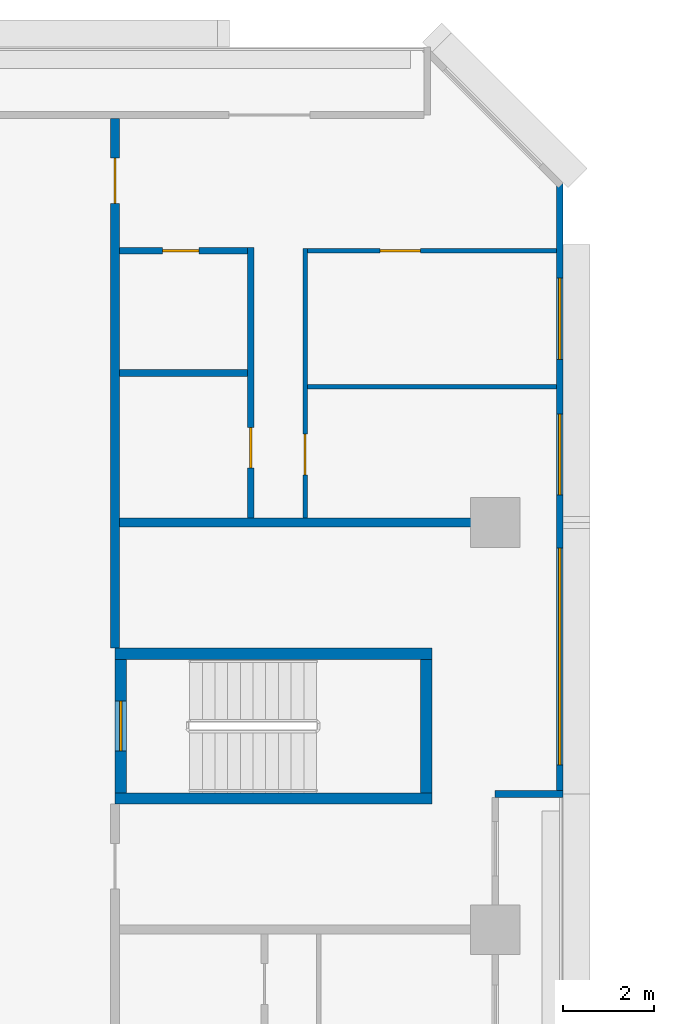
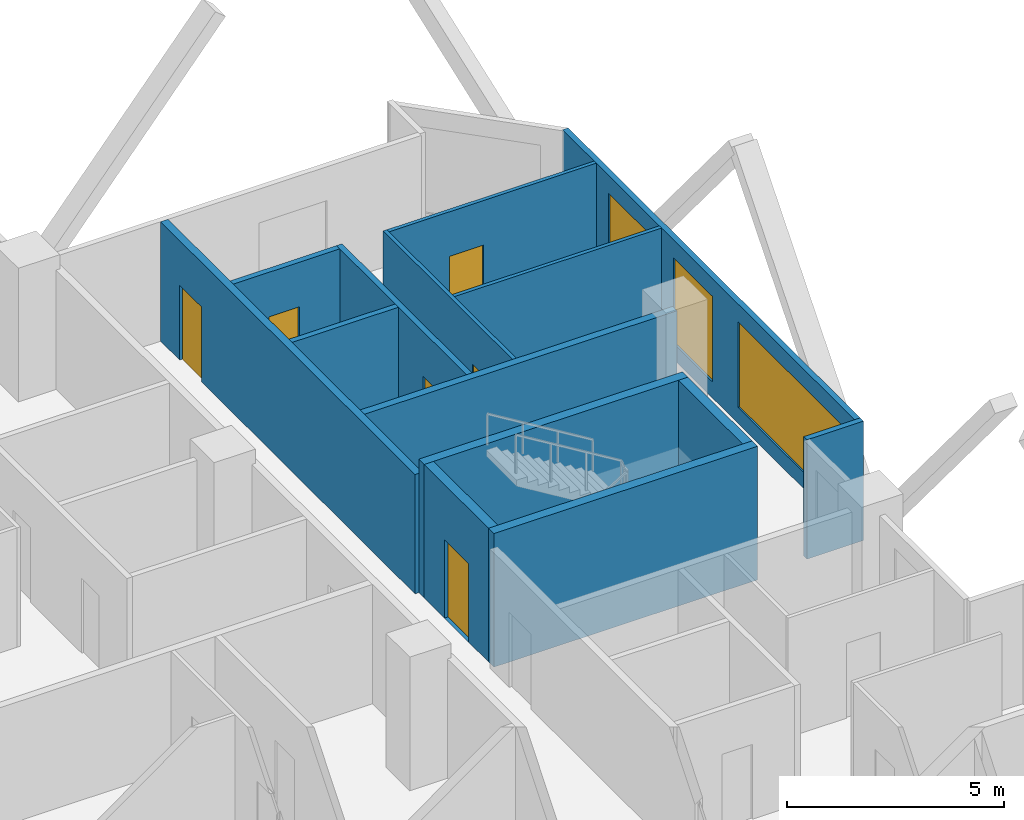
# One storey, part 11 of 16: 14 walls, 6 doors, 3 windows, 9 openings.
"""IFC4 building model written with IfcOpenShell, lengths in metres."""

from ifc_helpers import new_model, si_unit, direction, frame, frame_2d, origin, place, context, subcontext, project, spatial, rectangle, extrude, material, layer, layer_set, type_object, element, fill, save


model = new_model("IFC4")

# Units and contexts
model_context = context("Model", 3, precision=1e-05, world=origin(), true_north=direction((0.0, 1.0)))
body_context = subcontext(model_context, "Body", "Model", "MODEL_VIEW")
ifc_project = project(units=[si_unit("LENGTHUNIT", "METRE"), si_unit("AREAUNIT", "SQUARE_METRE"), si_unit("VOLUMEUNIT", "CUBIC_METRE"), si_unit("PLANEANGLEUNIT", "RADIAN"), si_unit("MASSUNIT", "GRAM", prefix="KILO")], contexts=[model_context])

# Site, building, storey
site_placement = place(None, origin())
site = spatial("IfcSite", under=ifc_project, at=site_placement, CompositionType="ELEMENT")
building_placement = place(site_placement, origin())
building = spatial("IfcBuilding", under=site, at=building_placement, Name="Chenar Terraces", CompositionType="ELEMENT")
storey_placement = place(building_placement, frame((0.0, 0.0, 71.39990234375)))
storey = spatial("IfcBuildingStorey", under=building, at=storey_placement, Name="L15", CompositionType="ELEMENT", Elevation=71.39990234375)

# Walls
ifc_material_1 = material(Name="Concrete C70/85", Category="concrete")
ifc_layer_1 = layer(ifc_material_1, 0.25)
ifc_layer_set_1 = layer_set([ifc_layer_1], Name="Concrete C70/85")
wall_type_1 = type_object("IfcWallType", Name="Core wall 250 Concrete C70/85", PredefinedType="SHEAR", material=ifc_layer_set_1)
for number, where, z_axis, x_axis, name in (
    (1, (15.60009765625, 47.89990234375, 0.0), (0.0, 0.0, 1.0), (1.0, 0.0, 0.0), "Core wall ST4_S L15"),
    (2, (15.60009765625, 51.10009765625, 0.0), (0.0, 0.0, 1.0), (1.0, 0.0, 0.0), "Core wall ST4_N L15"),
):
    element("IfcWall", number, at=place(storey_placement, frame(where, z_axis=z_axis, x_axis=x_axis)), inside=storey, type_object=wall_type_1, Name=name, PredefinedType="SHEAR", context=body_context, shape_type="SweptSolid", body=[
        extrude(rectangle(XDim=7.0, YDim=0.25, at=frame_2d((3.5, 0.0))), origin(), (0.0, 0.0, 1.0), 3.75),
    ])

# Wall, opening, door
wall_1_placement = place(storey_placement, frame((15.72509765625, 48.02490234375, 0.0), z_axis=(0.0, 0.0, 1.0), x_axis=(0.0, 1.0, 0.0)))
wall_1 = element("IfcWall", 3, at=wall_1_placement, inside=storey, type_object=wall_type_1, Name="Core wall ST4_W L15", PredefinedType="SHEAR", context=body_context, shape_type="SweptSolid", body=[
    extrude(rectangle(XDim=2.9501953125, YDim=0.25, at=frame_2d((1.47509765625, 0.0))), origin(), (0.0, 0.0, 1.0), 3.75),
])
opening_1_placement = place(wall_1_placement, frame((0.925048828125, 0.0, 0.0)))
opening_1 = element("IfcOpeningElement", 4, at=opening_1_placement, cuts=wall_1, Name="Opening DL15-C9", PredefinedType="OPENING", context=body_context, shape_type="SweptSolid", body=[
    extrude(rectangle(XDim=1.10009765625, YDim=2.199951171875, at=frame_2d((0.550048828125, 1.10009765625))), frame((0.0, 0.135009765625, 0.0), z_axis=(0.0, -1.0, 0.0), x_axis=(1.0, 0.0, 0.0)), (0.0, 0.0, 1.0), 0.27001953125),
])
ifc_material_2 = material(Name="Steel-framed fire-resisting door leaf", Category="steel")
door_type_1 = type_object("IfcDoorType", Name="Stair fire door FD60 1100 x 2200", OperationType="SINGLE_SWING_LEFT", PredefinedType="DOOR", material=ifc_material_2)
door_1_placement = place(opening_1_placement, frame((1.10009765625, 0.0, 0.0), z_axis=(0.0, 0.0, 1.0), x_axis=(-1.0, 0.0, 0.0)))
door_1 = element("IfcDoor", 5, at=door_1_placement, inside=storey, type_object=door_type_1, Name="Stair door DL15-C9", OperationType="SINGLE_SWING_RIGHT", OverallHeight=2.199951171875, OverallWidth=1.10009765625, PredefinedType="DOOR", context=body_context, shape_type="SweptSolid", body=[
    extrude(rectangle(XDim=1.10009765625, YDim=2.199951171875, at=frame_2d((0.550048828125, 1.10009765625))), frame((0.0, 0.02490234375, 0.0), z_axis=(0.0, -1.0, 0.0), x_axis=(1.0, 0.0, 0.0)), (0.0, 0.0, 1.0), 0.050048828125),
])
fill(opening_1, door_1)

# Wall
wall_2_placement = place(storey_placement, frame((22.47509765625, 48.02490234375, 0.0), z_axis=(0.0, 0.0, 1.0), x_axis=(0.0, 1.0, 0.0)))
element("IfcWall", 6, at=wall_2_placement, inside=storey, type_object=wall_type_1, Name="Core wall ST4_E L15", PredefinedType="SHEAR", context=body_context, shape_type="SweptSolid", body=[
    extrude(rectangle(XDim=2.9501953125, YDim=0.25, at=frame_2d((1.47509765625, 0.0))), origin(), (0.0, 0.0, 1.0), 3.75),
])

# Wall, opening, door
ifc_material_3 = material(Name="Gypsum board on steel studs with fire boards", Category="steel")
ifc_layer_2 = layer(ifc_material_3, 0.199951171875)
ifc_layer_set_2 = layer_set([ifc_layer_2], Name="Gypsum board on steel studs with fire boards")
wall_type_2 = type_object("IfcWallType", Name="Corridor wall 200", PredefinedType="PARTITIONING", material=ifc_layer_set_2)
wall_3_placement = place(storey_placement, frame((15.60009765625, 51.22509765625, 0.0), z_axis=(0.0, 0.0, 1.0), x_axis=(0.0, 1.0, 0.0)))
wall_3 = element("IfcWall", 7, at=wall_3_placement, inside=storey, type_object=wall_type_2, Name="Partition L15-037", PredefinedType="PARTITIONING", context=body_context, shape_type="SweptSolid", body=[
    extrude(rectangle(XDim=11.700927734375, YDim=0.199951171875, at=frame_2d((5.8505859375, 0.0))), origin(), (0.0, 0.0, 1.0), 3.35009765625),
])
opening_2_placement = place(wall_3_placement, frame((9.824951171875, 0.0, 0.0)))
opening_2 = element("IfcOpeningElement", 8, at=opening_2_placement, cuts=wall_3, Name="Opening DL15-38", PredefinedType="OPENING", context=body_context, shape_type="SweptSolid", body=[
    extrude(rectangle(XDim=1.0, YDim=2.10009765625, at=frame_2d((0.5, 1.050048828125))), frame((0.0, 0.10986328125, 0.0), z_axis=(0.0, -1.0, 0.0), x_axis=(1.0, 0.0, 0.0)), (0.0, 0.0, 1.0), 0.219970703125),
])
ifc_material_4 = material(Name="Steel-framed fire-resisting door leaf", Category="steel")
door_type_2 = type_object("IfcDoorType", Name="Fire door FD30S 1000 x 2100", OperationType="SINGLE_SWING_LEFT", PredefinedType="DOOR", material=ifc_material_4)
door_2_placement = place(opening_2_placement, frame((1.0, 0.0, 0.0), z_axis=(0.0, 0.0, 1.0), x_axis=(-1.0, 0.0, 0.0)))
door_2 = element("IfcDoor", 9, at=door_2_placement, inside=storey, type_object=door_type_2, Name="Door DL15-38", OperationType="SINGLE_SWING_LEFT", OverallHeight=2.10009765625, OverallWidth=1.0, PredefinedType="DOOR", context=body_context, shape_type="SweptSolid", body=[
    extrude(rectangle(XDim=1.0, YDim=2.10009765625, at=frame_2d((0.5, 1.050048828125))), frame((0.0, 0.02490234375, 0.0), z_axis=(0.0, -1.0, 0.0), x_axis=(1.0, 0.0, 0.0)), (0.0, 0.0, 1.0), 0.050048828125),
])
fill(opening_2, door_2)

# Wall, openings, windows
ifc_material_5 = material(Name="Aluminium framed glazing", Category="aluminium")
ifc_layer_3 = layer(ifc_material_5, 0.14990234375)
ifc_layer_set_3 = layer_set([ifc_layer_3], Name="Aluminium framed glazing")
wall_type_3 = type_object("IfcWallType", Name="Glazed flush facade wall 150", PredefinedType="SOLIDWALL", material=ifc_layer_set_3)
wall_4_placement = place(storey_placement, frame((25.425048828125, 48.074951171875, 0.0), z_axis=(0.0, 0.0, 1.0), x_axis=(0.0, 1.0, 0.0)))
wall_4 = element("IfcWall", 10, at=wall_4_placement, inside=storey, type_object=wall_type_3, Name="Glazed flush facade wall", PredefinedType="SOLIDWALL", context=body_context, shape_type="SweptSolid", body=[
    extrude(rectangle(XDim=13.425048828125, YDim=0.14990234375, at=frame_2d((6.71240234375, 0.0))), origin(), (0.0, 0.0, 1.0), 3.35009765625),
])
opening_3_placement = place(wall_4_placement, frame((0.5625, 0.0, 0.449951171875)))
opening_3 = element("IfcOpeningElement", 11, at=opening_3_placement, cuts=wall_4, Name="Opening W480x240", PredefinedType="OPENING", context=body_context, shape_type="SweptSolid", body=[
    extrude(rectangle(XDim=4.800048828125, YDim=2.39990234375, at=frame_2d((2.39990234375, 1.199951171875))), frame((0.0, 0.0849609375, 0.0), z_axis=(0.0, -1.0, 0.0), x_axis=(1.0, 0.0, 0.0)), (0.0, 0.0, 1.0), 0.169921875),
])
opening_4_placement = place(wall_4_placement, frame((6.52490234375, 0.0, 0.449951171875)))
opening_4 = element("IfcOpeningElement", 12, at=opening_4_placement, cuts=wall_4, Name="Opening W180x240", PredefinedType="OPENING", context=body_context, shape_type="SweptSolid", body=[
    extrude(rectangle(XDim=1.800048828125, YDim=2.39990234375, at=frame_2d((0.89990234375, 1.199951171875))), frame((0.0, 0.0849609375, 0.0), z_axis=(0.0, -1.0, 0.0), x_axis=(1.0, 0.0, 0.0)), (0.0, 0.0, 1.0), 0.169921875),
])
opening_5_placement = place(wall_4_placement, frame((9.52490234375, 0.0, 0.449951171875)))
opening_5 = element("IfcOpeningElement", 13, at=opening_5_placement, cuts=wall_4, Name="Opening W180x240", PredefinedType="OPENING", context=body_context, shape_type="SweptSolid", body=[
    extrude(rectangle(XDim=1.800048828125, YDim=2.39990234375, at=frame_2d((0.89990234375, 1.199951171875))), frame((0.0, 0.0849609375, 0.0), z_axis=(0.0, -1.0, 0.0), x_axis=(1.0, 0.0, 0.0)), (0.0, 0.0, 1.0), 0.169921875),
])
ifc_material_6 = material(Name="Low emissivity double glazing, aluminium frame", Category="aluminium")
window_type_1 = type_object("IfcWindowType", Name="Fixed light 1800 x 2400", PartitioningType="SINGLE_PANEL", PredefinedType="WINDOW", material=ifc_material_6)
window_1_placement = place(opening_4_placement, origin())
window_1 = element("IfcWindow", 14, at=window_1_placement, inside=storey, type_object=window_type_1, Name="Window", OverallHeight=2.39990234375, OverallWidth=1.800048828125, PartitioningType="SINGLE_PANEL", PredefinedType="WINDOW", context=body_context, shape_type="SweptSolid", body=[
    extrude(rectangle(XDim=1.800048828125, YDim=2.39990234375, at=frame_2d((0.89990234375, 1.199951171875))), frame((0.0, 0.030029296875, 0.0), z_axis=(0.0, -1.0, 0.0), x_axis=(1.0, 0.0, 0.0)), (0.0, 0.0, 1.0), 0.06005859375),
])
fill(opening_4, window_1)
window_2_placement = place(opening_5_placement, origin())
window_2 = element("IfcWindow", 15, at=window_2_placement, inside=storey, type_object=window_type_1, Name="Window", OverallHeight=2.39990234375, OverallWidth=1.800048828125, PartitioningType="SINGLE_PANEL", PredefinedType="WINDOW", context=body_context, shape_type="SweptSolid", body=[
    extrude(rectangle(XDim=1.800048828125, YDim=2.39990234375, at=frame_2d((0.89990234375, 1.199951171875))), frame((0.0, 0.030029296875, 0.0), z_axis=(0.0, -1.0, 0.0), x_axis=(1.0, 0.0, 0.0)), (0.0, 0.0, 1.0), 0.06005859375),
])
fill(opening_5, window_2)
ifc_material_7 = material(Name="Low emissivity double glazing, aluminium frame", Category="aluminium")
window_type_2 = type_object("IfcWindowType", Name="Fixed light 4800 x 2400", PartitioningType="SINGLE_PANEL", PredefinedType="WINDOW", material=ifc_material_7)
window_3_placement = place(opening_3_placement, origin())
window_3 = element("IfcWindow", 16, at=window_3_placement, inside=storey, type_object=window_type_2, Name="Window", OverallHeight=2.39990234375, OverallWidth=4.800048828125, PartitioningType="SINGLE_PANEL", PredefinedType="WINDOW", context=body_context, shape_type="SweptSolid", body=[
    extrude(rectangle(XDim=4.800048828125, YDim=2.39990234375, at=frame_2d((2.39990234375, 1.199951171875))), frame((0.0, 0.030029296875, 0.0), z_axis=(0.0, -1.0, 0.0), x_axis=(1.0, 0.0, 0.0)), (0.0, 0.0, 1.0), 0.06005859375),
])
fill(opening_3, window_3)

# Wall, opening, door
ifc_material_8 = material(Name="Gypsum board on steel studs", Category="steel")
ifc_layer_4 = layer(ifc_material_8, 0.10009765625)
ifc_layer_set_4 = layer_set([ifc_layer_4], Name="Gypsum board on steel studs")
wall_type_4 = type_object("IfcWallType", Name="Gypsum partition 100", PredefinedType="PARTITIONING", material=ifc_layer_set_4)
wall_5_placement = place(storey_placement, frame((19.800048828125, 54.10009765625, 0.0), z_axis=(0.0, 0.0, 1.0), x_axis=(0.0, 1.0, 0.0)))
wall_5 = element("IfcWall", 17, at=wall_5_placement, inside=storey, type_object=wall_type_4, Name="Partition L15-049", PredefinedType="PARTITIONING", context=body_context, shape_type="SweptSolid", body=[
    extrude(rectangle(XDim=5.949951171875, YDim=0.10009765625, at=frame_2d((2.97509765625, 0.0))), origin(), (0.0, 0.0, 1.0), 3.35009765625),
])
opening_6_placement = place(wall_5_placement, frame((0.949951171875, 0.0, 0.0)))
opening_6 = element("IfcOpeningElement", 18, at=opening_6_placement, cuts=wall_5, Name="Opening DL15-35", PredefinedType="OPENING", context=body_context, shape_type="SweptSolid", body=[
    extrude(rectangle(XDim=0.89990234375, YDim=2.10009765625, at=frame_2d((0.449951171875, 1.050048828125))), frame((0.0, 0.06005859375, 0.0), z_axis=(0.0, -1.0, 0.0), x_axis=(1.0, 0.0, 0.0)), (0.0, 0.0, 1.0), 0.1201171875),
])
ifc_material_9 = material(Name="Veneered timber door leaf", Category="wood")
door_type_3 = type_object("IfcDoorType", Name="Door 900 x 2100", OperationType="SINGLE_SWING_LEFT", PredefinedType="DOOR", material=ifc_material_9)
door_3_placement = place(opening_6_placement, frame((0.89990234375, 0.0, 0.0), z_axis=(0.0, 0.0, 1.0), x_axis=(-1.0, 0.0, 0.0)))
door_3 = element("IfcDoor", 19, at=door_3_placement, inside=storey, type_object=door_type_3, Name="Door DL15-35", OperationType="SINGLE_SWING_LEFT", OverallHeight=2.10009765625, OverallWidth=0.89990234375, PredefinedType="DOOR", context=body_context, shape_type="SweptSolid", body=[
    extrude(rectangle(XDim=0.89990234375, YDim=2.10009765625, at=frame_2d((0.449951171875, 1.050048828125))), frame((0.0, 0.02490234375, 0.0), z_axis=(0.0, -1.0, 0.0), x_axis=(1.0, 0.0, 0.0)), (0.0, 0.0, 1.0), 0.050048828125),
])
fill(opening_6, door_3)

# Wall
wall_6_placement = place(storey_placement, frame((19.85009765625, 57.0, 0.0), z_axis=(0.0, 0.0, 1.0), x_axis=(1.0, 0.0, 0.0)))
element("IfcWall", 20, at=wall_6_placement, inside=storey, type_object=wall_type_4, Name="Partition L15-050", PredefinedType="PARTITIONING", context=body_context, shape_type="SweptSolid", body=[
    extrude(rectangle(XDim=5.5009765625, YDim=0.10009765625, at=frame_2d((2.75048828125, 0.0))), origin(), (0.0, 0.0, 1.0), 3.35009765625),
])

# Wall, opening, door
wall_7_placement = place(storey_placement, frame((19.85009765625, 60.0, 0.0), z_axis=(0.0, 0.0, 1.0), x_axis=(1.0, 0.0, 0.0)))
wall_7 = element("IfcWall", 21, at=wall_7_placement, inside=storey, type_object=wall_type_4, Name="Partition L15-051", PredefinedType="PARTITIONING", context=body_context, shape_type="SweptSolid", body=[
    extrude(rectangle(XDim=5.5, YDim=0.10009765625, at=frame_2d((2.75, 0.0))), origin(), (0.0, 0.0, 1.0), 3.35009765625),
])
opening_7_placement = place(wall_7_placement, frame((1.60009765625, 0.0, 0.0)))
opening_7 = element("IfcOpeningElement", 22, at=opening_7_placement, cuts=wall_7, Name="Opening DL15-36", PredefinedType="OPENING", context=body_context, shape_type="SweptSolid", body=[
    extrude(rectangle(XDim=0.89990234375, YDim=2.10009765625, at=frame_2d((0.449951171875, 1.050048828125))), frame((0.0, 0.06005859375, 0.0), z_axis=(0.0, -1.0, 0.0), x_axis=(1.0, 0.0, 0.0)), (0.0, 0.0, 1.0), 0.1201171875),
])
door_4_placement = place(opening_7_placement, frame((0.89990234375, 0.0, 0.0), z_axis=(0.0, 0.0, 1.0), x_axis=(-1.0, 0.0, 0.0)))
door_4 = element("IfcDoor", 23, at=door_4_placement, inside=storey, type_object=door_type_3, Name="Door DL15-36", OperationType="SINGLE_SWING_LEFT", OverallHeight=2.10009765625, OverallWidth=0.89990234375, PredefinedType="DOOR", context=body_context, shape_type="SweptSolid", body=[
    extrude(rectangle(XDim=0.89990234375, YDim=2.10009765625, at=frame_2d((0.449951171875, 1.050048828125))), frame((0.0, 0.02490234375, 0.0), z_axis=(0.0, -1.0, 0.0), x_axis=(1.0, 0.0, 0.0)), (0.0, 0.0, 1.0), 0.050048828125),
])
fill(opening_7, door_4)

# Walls
ifc_material_10 = material(Name="Terracotta cladding on insulated backing", Category="masonry")
ifc_layer_5 = layer(ifc_material_10, 0.14990234375)
ifc_layer_set_5 = layer_set([ifc_layer_5], Name="Terracotta cladding on insulated backing")
wall_type_5 = type_object("IfcWallType", Name="Loggia return wall 150", PredefinedType="SOLIDWALL", material=ifc_layer_set_5)
wall_8_placement = place(storey_placement, frame((25.5, 48.0, 0.0), z_axis=(0.0, 0.0, 1.0), x_axis=(-1.0, 0.0, 0.0)))
element("IfcWall", 24, at=wall_8_placement, inside=storey, type_object=wall_type_5, Name="Loggia return wall", PredefinedType="SOLIDWALL", context=body_context, shape_type="SweptSolid", body=[
    extrude(rectangle(XDim=1.5, YDim=0.14990234375, at=frame_2d((0.75, 0.0))), origin(), (0.0, 0.0, 1.0), 3.35009765625),
])
ifc_material_11 = material(Name="Twin gypsum board on steel studs with mineral wool", Category="steel")
ifc_layer_6 = layer(ifc_material_11, 0.199951171875)
ifc_layer_set_6 = layer_set([ifc_layer_6], Name="Twin gypsum board on steel studs with mineral wool")
wall_type_6 = type_object("IfcWallType", Name="Unit demising wall 200", PredefinedType="PARTITIONING", material=ifc_layer_set_6)
wall_9_placement = place(storey_placement, frame((15.699951171875, 54.0, 0.0), z_axis=(0.0, 0.0, 1.0), x_axis=(1.0, 0.0, 0.0)))
element("IfcWall", 25, at=wall_9_placement, inside=storey, type_object=wall_type_6, Name="Partition L15-044", PredefinedType="PARTITIONING", context=body_context, shape_type="SweptSolid", body=[
    extrude(rectangle(XDim=8.300048828125, YDim=0.199951171875, at=frame_2d((4.14990234375, 0.0))), origin(), (0.0, 0.0, 1.0), 3.35009765625),
])
ifc_material_12 = material(Name="Moisture-resistant gypsum board on steel studs", Category="steel")
ifc_layer_7 = layer(ifc_material_12, 0.14990234375)
ifc_layer_set_7 = layer_set([ifc_layer_7], Name="Moisture-resistant gypsum board on steel studs")
wall_type_7 = type_object("IfcWallType", Name="Wet-room partition 150", PredefinedType="PARTITIONING", material=ifc_layer_set_7)
wall_10_placement = place(storey_placement, frame((15.699951171875, 57.300048828125, 0.0), z_axis=(0.0, 0.0, 1.0), x_axis=(1.0, 0.0, 0.0)))
element("IfcWall", 26, at=wall_10_placement, inside=storey, type_object=wall_type_7, Name="Partition L15-045", PredefinedType="PARTITIONING", context=body_context, shape_type="SweptSolid", body=[
    extrude(rectangle(XDim=2.824951171875, YDim=0.14990234375, at=frame_2d((1.41259765625, 0.0))), origin(), (0.0, 0.0, 1.0), 3.35009765625),
])

# Wall, opening, door
wall_11_placement = place(storey_placement, frame((15.699951171875, 60.0, 0.0), z_axis=(0.0, 0.0, 1.0), x_axis=(1.0, 0.0, 0.0)))
wall_11 = element("IfcWall", 27, at=wall_11_placement, inside=storey, type_object=wall_type_7, Name="Partition L15-046", PredefinedType="PARTITIONING", context=body_context, shape_type="SweptSolid", body=[
    extrude(rectangle(XDim=2.824951171875, YDim=0.14990234375, at=frame_2d((1.41259765625, 0.0))), origin(), (0.0, 0.0, 1.0), 3.35009765625),
])
opening_8_placement = place(wall_11_placement, frame((0.949951171875, 0.0, 0.0)))
opening_8 = element("IfcOpeningElement", 28, at=opening_8_placement, cuts=wall_11, Name="Opening DL15-34", PredefinedType="OPENING", context=body_context, shape_type="SweptSolid", body=[
    extrude(rectangle(XDim=0.800048828125, YDim=2.10009765625, at=frame_2d((0.39990234375, 1.050048828125))), frame((0.0, 0.0849609375, 0.0), z_axis=(0.0, -1.0, 0.0), x_axis=(1.0, 0.0, 0.0)), (0.0, 0.0, 1.0), 0.169921875),
])
ifc_material_13 = material(Name="Veneered timber door leaf", Category="wood")
door_type_4 = type_object("IfcDoorType", Name="Door 800 x 2100", OperationType="SINGLE_SWING_LEFT", PredefinedType="DOOR", material=ifc_material_13)
door_5_placement = place(opening_8_placement, frame((0.800048828125, 0.0, 0.0), z_axis=(0.0, 0.0, 1.0), x_axis=(-1.0, 0.0, 0.0)))
door_5 = element("IfcDoor", 29, at=door_5_placement, inside=storey, type_object=door_type_4, Name="Door DL15-34", OperationType="SINGLE_SWING_RIGHT", OverallHeight=2.10009765625, OverallWidth=0.800048828125, PredefinedType="DOOR", context=body_context, shape_type="SweptSolid", body=[
    extrude(rectangle(XDim=0.800048828125, YDim=2.10009765625, at=frame_2d((0.39990234375, 1.050048828125))), frame((0.0, 0.02490234375, 0.0), z_axis=(0.0, -1.0, 0.0), x_axis=(1.0, 0.0, 0.0)), (0.0, 0.0, 1.0), 0.050048828125),
])
fill(opening_8, door_5)

wall_12_placement = place(storey_placement, frame((18.60009765625, 54.10009765625, 0.0), z_axis=(0.0, 0.0, 1.0), x_axis=(0.0, 1.0, 0.0)))
wall_12 = element("IfcWall", 30, at=wall_12_placement, inside=storey, type_object=wall_type_7, Name="Partition L15-047", PredefinedType="PARTITIONING", context=body_context, shape_type="SweptSolid", body=[
    extrude(rectangle(XDim=5.974853515625, YDim=0.14990234375, at=frame_2d((2.9873046875, 0.0))), origin(), (0.0, 0.0, 1.0), 3.35009765625),
])
opening_9_placement = place(wall_12_placement, frame((1.10009765625, 0.0, 0.0)))
opening_9 = element("IfcOpeningElement", 31, at=opening_9_placement, cuts=wall_12, Name="Opening DL15-37", PredefinedType="OPENING", context=body_context, shape_type="SweptSolid", body=[
    extrude(rectangle(XDim=0.89990234375, YDim=2.10009765625, at=frame_2d((0.449951171875, 1.050048828125))), frame((0.0, 0.0849609375, 0.0), z_axis=(0.0, -1.0, 0.0), x_axis=(1.0, 0.0, 0.0)), (0.0, 0.0, 1.0), 0.169921875),
])
door_6_placement = place(opening_9_placement, origin())
door_6 = element("IfcDoor", 32, at=door_6_placement, inside=storey, type_object=door_type_3, Name="Door DL15-37", OperationType="SINGLE_SWING_LEFT", OverallHeight=2.10009765625, OverallWidth=0.89990234375, PredefinedType="DOOR", context=body_context, shape_type="SweptSolid", body=[
    extrude(rectangle(XDim=0.89990234375, YDim=2.10009765625, at=frame_2d((0.449951171875, 1.050048828125))), frame((0.0, 0.02490234375, 0.0), z_axis=(0.0, -1.0, 0.0), x_axis=(1.0, 0.0, 0.0)), (0.0, 0.0, 1.0), 0.050048828125),
])
fill(opening_9, door_6)

save(model, "model.ifc")
